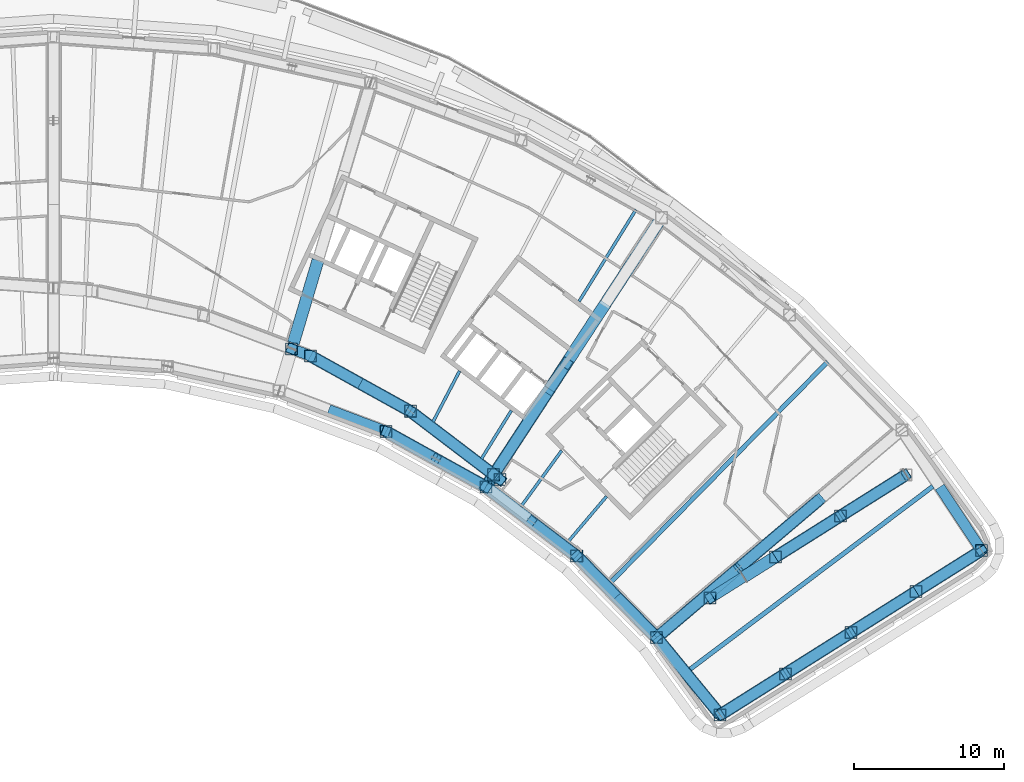
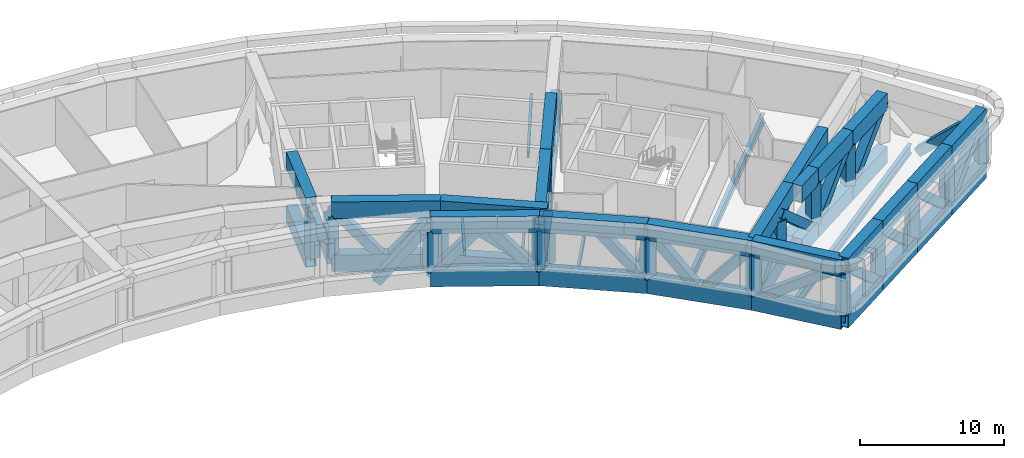
# One storey, part 4 of 24: 44 beams, 42 members.
"""IFC4 building model written with IfcOpenShell, lengths in metres."""

import ifcopenshell
import ifcopenshell.guid

model = None  # the IFC model being written
_history = None  # IfcOwnerHistory: only IFC2X3 demands one
_inside = {}  # id of a spatial element -> (the spatial element, [elements in it])
_under = {}  # id of a project, library or spatial element -> (it, [spatial elements below it])
_declared = {}  # id of a project -> (the project, [libraries it declares])
_typed = {}  # id of a type object -> (the type object, [elements of that type])
_made_of = {}  # id of a material, layer set ... -> (it, [elements and type objects made of it])


def new_model(schema):
    """Start an empty IFC model of exactly this schema.

    Asked for "IFC4X3", IfcOpenShell would pick the latest addendum, in which some entities
    have other attributes; the version numbers below select the first issue.
    IFC2X3 requires an IfcOwnerHistory on every rooted entity: one is made here for all.
    """
    global model, _history
    if schema == "IFC4X3":
        model = ifcopenshell.file(schema_version=(4, 3, 0, 0))
    else:
        model = ifcopenshell.file(schema=schema)
    _inside.clear()
    _under.clear()
    _declared.clear()
    _typed.clear()
    _made_of.clear()
    _history = None
    if model.schema == "IFC2X3":
        org = make("IfcOrganization", Name="unknown")
        user = make(
            "IfcPersonAndOrganization",
            ThePerson=make("IfcPerson", FamilyName="unknown"),
            TheOrganization=org,
        )
        app = make(
            "IfcApplication",
            ApplicationDeveloper=org,
            Version="unknown",
            ApplicationFullName="unknown",
            ApplicationIdentifier="unknown",
        )
        _history = make(
            "IfcOwnerHistory",
            OwningUser=user,
            OwningApplication=app,
            ChangeAction="ADDED",
            CreationDate=0,
        )
    return model


def make(cls, **values):
    """One entity of the class cls with the attributes given. An attribute that is None is left unset."""
    return model.create_entity(
        cls, **{name: value for name, value in values.items() if value is not None}
    )


def rooted(cls, **values):
    """An entity with a GlobalId (a new one), such as an element, a storey or a relation."""
    return make(cls, GlobalId=ifcopenshell.guid.new(), OwnerHistory=_history, **values)


def si_unit(unit_type, name, prefix=None):
    """IfcSIUnit, for example si_unit("LENGTHUNIT", "METRE", prefix="MILLI")."""
    return make("IfcSIUnit", UnitType=unit_type, Prefix=prefix, Name=name)


def assignment(units):
    """IfcUnitAssignment: the units of a project."""
    return None if units is None else make("IfcUnitAssignment", Units=units)


def point(xyz):
    """IfcCartesianPoint."""
    return None if xyz is None else make("IfcCartesianPoint", Coordinates=xyz)


def direction(xyz):
    """IfcDirection."""
    return None if xyz is None else make("IfcDirection", DirectionRatios=xyz)


def frame(location, z_axis=None, x_axis=None):
    """IfcAxis2Placement3D, a coordinate frame: its origin and axes. An axis left out is left unset."""
    return make(
        "IfcAxis2Placement3D",
        Location=point(location),
        Axis=direction(z_axis),
        RefDirection=direction(x_axis),
    )


def frame_2d(location, x_axis=None):
    """IfcAxis2Placement2D, a coordinate frame in the plane: its origin and x axis."""
    return make(
        "IfcAxis2Placement2D", Location=point(location), RefDirection=direction(x_axis)
    )


def origin():
    """The frame at (0, 0, 0) with its axes left unset."""
    return frame((0.0, 0.0, 0.0))


def origin_2d():
    """The frame at (0, 0) in the plane with its x axis left unset."""
    return frame_2d((0.0, 0.0))


def place(relative_to, where):
    """IfcLocalPlacement: puts the frame where relative to a parent placement (None: the world)."""
    return make(
        "IfcLocalPlacement", PlacementRelTo=relative_to, RelativePlacement=where
    )


def context(
    kind, dimensions, precision=None, world=None, true_north=None, identifier=None
):
    """IfcGeometricRepresentationContext, for example the 3D "Model" context."""
    return make(
        "IfcGeometricRepresentationContext",
        ContextIdentifier=identifier,
        ContextType=kind,
        CoordinateSpaceDimension=dimensions,
        Precision=precision,
        WorldCoordinateSystem=world,
        TrueNorth=true_north,
    )


def subcontext(parent, identifier, kind, view, scale=None):
    """IfcGeometricRepresentationSubContext, for example "Body" below "Model"."""
    return make(
        "IfcGeometricRepresentationSubContext",
        ContextIdentifier=identifier,
        ContextType=kind,
        ParentContext=parent,
        TargetScale=scale,
        TargetView=view,
    )


def project(units=None, contexts=None):
    """IfcProject with its units and contexts."""
    return rooted(
        "IfcProject",
        Name="project",
        RepresentationContexts=contexts,
        UnitsInContext=assignment(units),
    )


def spatial(cls, under=None, at=None, **own):
    """A site, building, storey or space (cls), placed at a placement, below another one or the project."""
    s = rooted(cls, ObjectPlacement=at, **own)
    if under is not None:
        _under.setdefault(under.id(), (under, []))[1].append(s)
    return s


def profile(cls, at=None, kind="AREA", **sizes):
    """A parametric profile (cls). Its sizes go by their IFC names, for example OverallWidth=200.0."""
    return make(cls, ProfileType=kind, Position=at, **sizes)


def hollow_rectangle(**sizes):
    """IfcRectangleHollowProfileDef."""
    return profile("IfcRectangleHollowProfileDef", **sizes)


def i_section(**sizes):
    """IfcIShapeProfileDef."""
    return profile("IfcIShapeProfileDef", **sizes)


def extrude(swept, where, along, depth):
    """IfcExtrudedAreaSolid: the profile swept, set in the frame where, extruded along a direction by depth."""
    return make(
        "IfcExtrudedAreaSolid",
        SweptArea=swept,
        Position=where,
        ExtrudedDirection=direction(along),
        Depth=depth,
    )


def shape(context_of_items, identifier, shape_type, items):
    """IfcShapeRepresentation: the items that make up one representation, for example the "Body"."""
    return make(
        "IfcShapeRepresentation",
        ContextOfItems=context_of_items,
        RepresentationIdentifier=identifier,
        RepresentationType=shape_type,
        Items=items,
    )


def material(Name=None, Category=None):
    """IfcMaterial."""
    return make("IfcMaterial", Name=Name, Category=Category)


def material_profile(
    of_material, cross_section, Name=None, Category=None, Priority=None
):
    """IfcMaterialProfile: a cross section and its material."""
    return make(
        "IfcMaterialProfile",
        Name=Name,
        Material=of_material,
        Profile=cross_section,
        Priority=Priority,
        Category=Category,
    )


def profile_set(profiles, Name=None, composite=None):
    """IfcMaterialProfileSet."""
    return make(
        "IfcMaterialProfileSet",
        Name=Name,
        MaterialProfiles=profiles,
        CompositeProfile=composite,
    )


def made_of(thing, what):
    """Note that an element or type object is made of a material, layer set ...; save() writes the relation."""
    if what is not None:
        _made_of.setdefault(what.id(), (what, []))[1].append(thing)
    return thing


def type_object(cls, material=None, **own):
    """A type object (cls), such as IfcWallType, which elements share."""
    return made_of(rooted(cls, **own), material)


def element(
    cls,
    number,
    at=None,
    inside=None,
    cuts=None,
    type_object=None,
    material=None,
    context=None,
    identifier="Body",
    shape_type=None,
    held_by="IfcProductDefinitionShape",
    body=None,
    shapes=None,
    **own,
):
    """One element of the class cls, such as IfcWall. Its Tag is "e" and its number.

    at: its placement. inside: the storey or other place that contains it. cuts: it is an
    opening in that element (IfcRelVoidsElement). A single representation is given by context,
    identifier, shape_type and body (its items); several are given by shapes. held_by: the class
    of the entity that holds the representations. save() writes the other relations.
    """
    e = rooted(cls, Tag="e%d" % number, ObjectPlacement=at, **own)
    if body is not None:
        shapes = [shape(context, identifier, shape_type, body)]
    if shapes is not None:
        e.Representation = make(held_by, Representations=shapes)
    if inside is not None:
        _inside.setdefault(inside.id(), (inside, []))[1].append(e)
    if cuts is not None:
        rooted(
            "IfcRelVoidsElement", RelatingBuildingElement=cuts, RelatedOpeningElement=e
        )
    if type_object is not None:
        _typed.setdefault(type_object.id(), (type_object, []))[1].append(e)
    return made_of(e, material)


def aggregate(whole, parts):
    """IfcRelAggregates: a whole, such as a stair, and the parts it consists of."""
    return rooted("IfcRelAggregates", RelatingObject=whole, RelatedObjects=parts)


def save(model, path):
    """Write the relations noted so far, then the file.

    IfcRelAggregates (storeys below a building ...), IfcRelContainedInSpatialStructure (elements
    in a storey), IfcRelDefinesByType, IfcRelAssociatesMaterial and IfcRelDeclares: one each for
    every whole, place, type object, material and project.
    """
    for whole, parts in _under.values():
        aggregate(whole, parts)
    for where, things in _inside.values():
        rooted(
            "IfcRelContainedInSpatialStructure",
            RelatedElements=things,
            RelatingStructure=where,
        )
    for kind, things in _typed.values():
        rooted("IfcRelDefinesByType", RelatedObjects=things, RelatingType=kind)
    for what, things in _made_of.values():
        rooted("IfcRelAssociatesMaterial", RelatedObjects=things, RelatingMaterial=what)
    for by, libraries in _declared.values():
        rooted("IfcRelDeclares", RelatingContext=by, RelatedDefinitions=libraries)
    model.write(path)


model = new_model("IFC4")

# Units and contexts
model_context = context("Model", 3, precision=1e-05, world=origin(), true_north=direction((0.0, 1.0)))
body_context = subcontext(model_context, "Body", "Model", "MODEL_VIEW")
ifc_project = project(units=[si_unit("LENGTHUNIT", "METRE"), si_unit("AREAUNIT", "SQUARE_METRE"), si_unit("VOLUMEUNIT", "CUBIC_METRE"), si_unit("PLANEANGLEUNIT", "RADIAN"), si_unit("MASSUNIT", "GRAM", prefix="KILO")], contexts=[model_context])

# Site, building, storey
site_placement = place(None, origin())
site = spatial("IfcSite", under=ifc_project, at=site_placement, CompositionType="ELEMENT")
building_placement = place(site_placement, origin())
building = spatial("IfcBuilding", under=site, at=building_placement, Name="Tuul Gate Civic Tower", CompositionType="ELEMENT")
storey_placement = place(building_placement, frame((0.0, 0.0, 94.800048828125)))
storey = spatial("IfcBuildingStorey", under=building, at=storey_placement, Name="Plant and refuge floor 3", CompositionType="ELEMENT", Elevation=94.800048828125)

# Beams
ifc_material_1 = material(Name="Steel S355", Category="steel")
ifc_material_profile_1 = material_profile(ifc_material_1, i_section(OverallWidth=0.199951171875, OverallDepth=0.5, WebThickness=0.010009765625, FlangeThickness=0.01611328125, at=origin_2d()), Name="PG500x200x10x16")
ifc_profile_set_1 = profile_set([ifc_material_profile_1], Name="Steel S355")
beam_type_1 = type_object("IfcBeamType", Name="STR-FLOOR BEAM-PG500x200x10x16", PredefinedType="BEAM", material=ifc_profile_set_1)
beam_1_placement = place(storey_placement, frame((43.98681640625, -19.913330078125, -0.650146484375), z_axis=(0.646598091144, 0.762830851846, 0.0), x_axis=(-0.762830851846, 0.646598091144, 0.0)))
element("IfcBeam", 1, at=beam_1_placement, inside=storey, type_object=beam_type_1, Name="Floor beam", PredefinedType="BEAM", context=body_context, shape_type="SweptSolid", body=[
    extrude(i_section(OverallWidth=0.199951171875, OverallDepth=0.5, WebThickness=0.010009765625, FlangeThickness=0.01611328125, at=origin_2d()), origin(), (0.0, 0.0, 1.0), 4.00341796875),
])
beam_2_placement = place(storey_placement, frame((40.8779296875, -17.546630859375, -0.650146484375), z_axis=(0.588448553247, 0.808534662325, 0.0), x_axis=(-0.808534662325, 0.588448553247, 0.0)))
element("IfcBeam", 2, at=beam_2_placement, inside=storey, type_object=beam_type_1, Name="Floor beam", PredefinedType="BEAM", context=body_context, shape_type="SweptSolid", body=[
    extrude(i_section(OverallWidth=0.199951171875, OverallDepth=0.5, WebThickness=0.010009765625, FlangeThickness=0.01611328125, at=origin_2d()), origin(), (0.0, 0.0, 1.0), 4.613525390625),
])
beam_3_placement = place(storey_placement, frame((38.26416015625, -14.35791015625, -0.650146484375), z_axis=(0.527047155452, 0.849836040616, 0.0), x_axis=(-0.849836040616, 0.527047155452, 0.0)))
element("IfcBeam", 3, at=beam_3_placement, inside=storey, type_object=beam_type_1, Name="Floor beam", PredefinedType="BEAM", context=body_context, shape_type="SweptSolid", body=[
    extrude(i_section(OverallWidth=0.199951171875, OverallDepth=0.5, WebThickness=0.010009765625, FlangeThickness=0.01611328125, at=origin_2d()), origin(), (0.0, 0.0, 1.0), 3.7734375),
])
beam_4_placement = place(storey_placement, frame((44.753173828125, -3.89404296875, -0.650146484375), z_axis=(0.527029124727, 0.849847222558, 0.0), x_axis=(-0.849847222558, 0.527029124727, 0.0)))
element("IfcBeam", 4, at=beam_4_placement, inside=storey, type_object=beam_type_1, Name="Floor beam", PredefinedType="BEAM", context=body_context, shape_type="SweptSolid", body=[
    extrude(i_section(OverallWidth=0.199951171875, OverallDepth=0.5, WebThickness=0.010009765625, FlangeThickness=0.01611328125, at=origin_2d()), origin(), (0.0, 0.0, 1.0), 7.175537109375),
])
beam_5_placement = place(storey_placement, frame((35.043701171875, -11.90576171875, -0.650146484375), z_axis=(0.462749887816, 0.886488883927, 0.0), x_axis=(-0.886488883927, 0.462749887816, 0.0)))
element("IfcBeam", 5, at=beam_5_placement, inside=storey, type_object=beam_type_1, Name="Floor beam", PredefinedType="BEAM", context=body_context, shape_type="SweptSolid", body=[
    extrude(i_section(OverallWidth=0.199951171875, OverallDepth=0.5, WebThickness=0.010009765625, FlangeThickness=0.01611328125, at=origin_2d()), origin(), (0.0, 0.0, 1.0), 3.811279296875),
])
ifc_material_2 = material(Name="Steel S355", Category="steel")
ifc_material_profile_2 = material_profile(ifc_material_2, i_section(OverallWidth=0.300048828125, OverallDepth=0.800048828125, WebThickness=0.013916015625, FlangeThickness=0.02490234375, at=origin_2d()), Name="PG800x300x14x25")
ifc_profile_set_2 = profile_set([ifc_material_profile_2], Name="Steel S355")
beam_type_2 = type_object("IfcBeamType", Name="STR-FLOOR BEAM-PG800x300x14x25", PredefinedType="BEAM", material=ifc_profile_set_2)
beam_6_placement = place(storey_placement, frame((52.10595703125, -28.362060546875, -0.800048828125), z_axis=(0.79870948555, 0.601716841789, 0.0), x_axis=(-0.601716841789, 0.79870948555, 0.0)))
element("IfcBeam", 6, at=beam_6_placement, inside=storey, type_object=beam_type_2, Name="Floor beam", PredefinedType="BEAM", context=body_context, shape_type="SweptSolid", body=[
    extrude(i_section(OverallWidth=0.300048828125, OverallDepth=0.800048828125, WebThickness=0.013916015625, FlangeThickness=0.02490234375, at=origin_2d()), origin(), (0.0, 0.0, 1.0), 20.2333984375),
])
beam_7_placement = place(storey_placement, frame((46.82861328125, -22.5947265625, -0.800048828125), z_axis=(0.701234928118, 0.712930274001, 0.0), x_axis=(-0.712930274001, 0.701234928118, 0.0)))
element("IfcBeam", 7, at=beam_7_placement, inside=storey, type_object=beam_type_2, Name="Floor beam", PredefinedType="BEAM", context=body_context, shape_type="SweptSolid", body=[
    extrude(i_section(OverallWidth=0.300048828125, OverallDepth=0.800048828125, WebThickness=0.013916015625, FlangeThickness=0.02490234375, at=origin_2d()), origin(), (0.0, 0.0, 1.0), 20.603759765625),
])
ifc_material_3 = material(Name="Steel S460", Category="steel")
ifc_material_profile_3 = material_profile(ifc_material_3, hollow_rectangle(XDim=0.800048828125, YDim=1.39990234375, WallThickness=0.0400390625, at=origin_2d()), Name="BOX1400x800x40")
ifc_profile_set_3 = profile_set([ifc_material_profile_3], Name="Steel S460")
beam_type_3 = type_object("IfcBeamType", Name="STR-TRANSFER TRUSS CHORD-BOX1400x800x40", PredefinedType="BEAM", material=ifc_profile_set_3)
for number, where, z_axis, x_axis, name in (
    (8, (50.23095703125, 1.6640625, -1.10009765625), (-0.546721098723, -0.837314779644, 0.0), (0.837314779644, -0.546721098723, 0.0), "Radial truss bottom chord"),
    (9, (46.51318359375, -4.02978515625, -1.10009765625), (-0.546721098723, -0.837314779644, 0.0), (0.837314779644, -0.546721098723, 0.0), "Radial truss bottom chord"),
):
    element("IfcBeam", number, at=place(storey_placement, frame(where, z_axis=z_axis, x_axis=x_axis)), inside=storey, type_object=beam_type_3, Name=name, PredefinedType="BEAM", context=body_context, shape_type="SweptSolid", body=[
        extrude(hollow_rectangle(XDim=0.800048828125, YDim=1.39990234375, WallThickness=0.0400390625, at=origin_2d()), origin(), (0.0, 0.0, 1.0), 6.800048828125),
    ])
beam_8_placement = place(storey_placement, frame((42.79541015625, -9.7236328125, -1.10009765625), z_axis=(-0.546720900012, -0.837314909392, 0.0), x_axis=(0.837314909392, -0.546720900012, 0.0)))
element("IfcBeam", 10, at=beam_8_placement, inside=storey, type_object=beam_type_3, Name="Radial truss bottom chord", PredefinedType="BEAM", context=body_context, shape_type="SweptSolid", body=[
    extrude(hollow_rectangle(XDim=0.800048828125, YDim=1.39990234375, WallThickness=0.0400390625, at=origin_2d()), origin(), (0.0, 0.0, 1.0), 7.756103515625),
])
beam_9_placement = place(storey_placement, frame((46.51318359375, -4.02978515625, 3.39990234375), z_axis=(-0.546721098723, -0.837314779644, 0.0), x_axis=(0.837314779644, -0.546721098723, 0.0)))
element("IfcBeam", 11, at=beam_9_placement, inside=storey, type_object=beam_type_3, Name="Radial truss top chord", PredefinedType="BEAM", context=body_context, shape_type="SweptSolid", body=[
    extrude(hollow_rectangle(XDim=0.800048828125, YDim=1.39990234375, WallThickness=0.0400390625, at=origin_2d()), origin(), (0.0, 0.0, 1.0), 6.800048828125),
])
beam_10_placement = place(storey_placement, frame((42.79541015625, -9.7236328125, 3.39990234375), z_axis=(-0.546720900012, -0.837314909392, 0.0), x_axis=(0.837314909392, -0.546720900012, 0.0)))
element("IfcBeam", 12, at=beam_10_placement, inside=storey, type_object=beam_type_3, Name="Radial truss top chord", PredefinedType="BEAM", context=body_context, shape_type="SweptSolid", body=[
    extrude(hollow_rectangle(XDim=0.800048828125, YDim=1.39990234375, WallThickness=0.0400390625, at=origin_2d()), origin(), (0.0, 0.0, 1.0), 7.756103515625),
])
for number, where, z_axis, x_axis, name in (
    (13, (60.770751953125, -17.031982421875, -1.10009765625), (-0.762827934926, -0.646601532396, 0.0), (0.646601532396, -0.762827934926, 0.0), "Radial truss bottom chord"),
    (14, (55.34033203125, -21.635009765625, -1.10009765625), (-0.762827934926, -0.646601532396, 0.0), (0.646601532396, -0.762827934926, 0.0), "Radial truss bottom chord"),
    (15, (60.770751953125, -17.031982421875, 3.39990234375), (-0.762827934926, -0.646601532396, 0.0), (0.646601532396, -0.762827934926, 0.0), "Radial truss top chord"),
    (16, (55.34033203125, -21.635009765625, 3.39990234375), (-0.762827934926, -0.646601532396, 0.0), (0.646601532396, -0.762827934926, 0.0), "Radial truss top chord"),
):
    element("IfcBeam", number, at=place(storey_placement, frame(where, z_axis=z_axis, x_axis=x_axis)), inside=storey, type_object=beam_type_3, Name=name, PredefinedType="BEAM", context=body_context, shape_type="SweptSolid", body=[
        extrude(hollow_rectangle(XDim=0.800048828125, YDim=1.39990234375, WallThickness=0.0400390625, at=origin_2d()), origin(), (0.0, 0.0, 1.0), 7.118896484375),
    ])
for number, where, z_axis, x_axis, name in (
    (17, (27.401611328125, -1.158447265625, -1.10009765625), (-0.285189887034, -0.958471036773, 0.0), (0.958471036773, -0.285189887034, 0.0), "Radial truss bottom chord"),
    (18, (27.401611328125, -1.158447265625, 3.39990234375), (-0.285189887034, -0.958471036773, 0.0), (0.958471036773, -0.285189887034, 0.0), "Radial truss top chord"),
):
    element("IfcBeam", number, at=place(storey_placement, frame(where, z_axis=z_axis, x_axis=x_axis)), inside=storey, type_object=beam_type_3, Name=name, PredefinedType="BEAM", context=body_context, shape_type="SweptSolid", body=[
        extrude(hollow_rectangle(XDim=0.800048828125, YDim=1.39990234375, WallThickness=0.0400390625, at=origin_2d()), origin(), (0.0, 0.0, 1.0), 5.74169921875),
    ])
for number, where, z_axis, x_axis, name in (
    (19, (38.554931640625, -16.218017578125, -1.10009765625), (0.795673036057, -0.605726357105, 0.0), (0.605726357105, 0.795673036057, 0.0), "Belt truss bottom chord"),
    (20, (38.554931640625, -16.218017578125, 3.39990234375), (0.795673036057, -0.605726357105, 0.0), (0.605726357105, 0.795673036057, 0.0), "Belt truss top chord"),
):
    element("IfcBeam", number, at=place(storey_placement, frame(where, z_axis=z_axis, x_axis=x_axis)), inside=storey, type_object=beam_type_3, Name=name, PredefinedType="BEAM", context=body_context, shape_type="SweptSolid", body=[
        extrude(hollow_rectangle(XDim=0.800048828125, YDim=1.39990234375, WallThickness=0.0400390625, at=origin_2d()), origin(), (0.0, 0.0, 1.0), 7.59228515625),
    ])
for number, where, z_axis, x_axis, name in (
    (21, (31.9150390625, -12.537109375, -1.10009765625), (0.874599842838, -0.484845454663, 0.0), (0.484845454663, 0.874599842838, 0.0), "Belt truss bottom chord"),
    (22, (31.9150390625, -12.537109375, 3.39990234375), (0.874599842838, -0.484845454663, 0.0), (0.484845454663, 0.874599842838, 0.0), "Belt truss top chord"),
):
    element("IfcBeam", number, at=place(storey_placement, frame(where, z_axis=z_axis, x_axis=x_axis)), inside=storey, type_object=beam_type_3, Name=name, PredefinedType="BEAM", context=body_context, shape_type="SweptSolid", body=[
        extrude(hollow_rectangle(XDim=0.800048828125, YDim=1.39990234375, WallThickness=0.0400390625, at=origin_2d()), origin(), (0.0, 0.0, 1.0), 7.592041015625),
    ])
for number, where, z_axis, x_axis, name in (
    (23, (33.534912109375, -11.197021484375, -1.10009765625), (0.795626359426, -0.605787665925, 0.0), (0.605787665925, 0.795626359426, 0.0), "Belt truss bottom chord"),
    (24, (33.534912109375, -11.197021484375, 3.39990234375), (0.795626359426, -0.605787665925, 0.0), (0.605787665925, 0.795626359426, 0.0), "Belt truss top chord"),
):
    element("IfcBeam", number, at=place(storey_placement, frame(where, z_axis=z_axis, x_axis=x_axis)), inside=storey, type_object=beam_type_3, Name=name, PredefinedType="BEAM", context=body_context, shape_type="SweptSolid", body=[
        extrude(hollow_rectangle(XDim=0.800048828125, YDim=1.39990234375, WallThickness=0.0400390625, at=origin_2d()), origin(), (0.0, 0.0, 1.0), 7.48486328125),
    ])
for number, where, z_axis, x_axis, name in (
    (25, (26.89501953125, -7.51708984375, -1.10009765625), (0.874654386478, -0.484747051785, 0.0), (0.484747051785, 0.874654386478, 0.0), "Belt truss bottom chord"),
    (26, (26.89501953125, -7.51708984375, 3.39990234375), (0.874654386478, -0.484747051785, 0.0), (0.484747051785, 0.874654386478, 0.0), "Belt truss top chord"),
):
    element("IfcBeam", number, at=place(storey_placement, frame(where, z_axis=z_axis, x_axis=x_axis)), inside=storey, type_object=beam_type_3, Name=name, PredefinedType="BEAM", context=body_context, shape_type="SweptSolid", body=[
        extrude(hollow_rectangle(XDim=0.800048828125, YDim=1.39990234375, WallThickness=0.0400390625, at=origin_2d()), origin(), (0.0, 0.0, 1.0), 7.591552734375),
    ])
for number, where, z_axis, x_axis, name in (
    (27, (44.595947265625, -20.81689453125, -1.10009765625), (0.700012244229, -0.714130840903, 0.0), (0.714130840903, 0.700012244229, 0.0), "Belt truss bottom chord"),
    (28, (44.595947265625, -20.81689453125, 3.39990234375), (0.700012244229, -0.714130840903, 0.0), (0.714130840903, 0.700012244229, 0.0), "Belt truss top chord"),
):
    element("IfcBeam", number, at=place(storey_placement, frame(where, z_axis=z_axis, x_axis=x_axis)), inside=storey, type_object=beam_type_3, Name=name, PredefinedType="BEAM", context=body_context, shape_type="SweptSolid", body=[
        extrude(hollow_rectangle(XDim=0.800048828125, YDim=1.39990234375, WallThickness=0.0400390625, at=origin_2d()), origin(), (0.0, 0.0, 1.0), 7.59130859375),
    ])
for number, where, z_axis, x_axis, name in (
    (29, (49.909912109375, -26.238037109375, -1.10009765625), (0.634408284955, -0.772998142288, 0.0), (0.772998142288, 0.634408284955, 0.0), "Belt truss bottom chord"),
    (30, (49.909912109375, -26.238037109375, 3.39990234375), (0.634408284955, -0.772998142288, 0.0), (0.772998142288, 0.634408284955, 0.0), "Belt truss top chord"),
):
    element("IfcBeam", number, at=place(storey_placement, frame(where, z_axis=z_axis, x_axis=x_axis)), inside=storey, type_object=beam_type_3, Name=name, PredefinedType="BEAM", context=body_context, shape_type="SweptSolid", body=[
        extrude(hollow_rectangle(XDim=0.800048828125, YDim=1.39990234375, WallThickness=0.0400390625, at=origin_2d()), origin(), (0.0, 0.0, 1.0), 6.65185546875),
    ])
for number, where, z_axis, x_axis, name in (
    (31, (57.7939453125, -20.89111328125, -1.10009765625), (0.846178819959, 0.53289905672, 0.0), (-0.53289905672, 0.846178819959, 0.0), "Belt truss bottom chord"),
    (32, (57.7939453125, -20.89111328125, 3.39990234375), (0.846178819959, 0.53289905672, 0.0), (-0.53289905672, 0.846178819959, 0.0), "Belt truss top chord"),
    (33, (58.471923828125, -28.64599609375, -1.10009765625), (0.846178819959, 0.53289905672, 0.0), (-0.53289905672, 0.846178819959, 0.0), "Belt truss bottom chord"),
    (34, (58.471923828125, -28.64599609375, 3.39990234375), (0.846178819959, 0.53289905672, 0.0), (-0.53289905672, 0.846178819959, 0.0), "Belt truss top chord"),
):
    element("IfcBeam", number, at=place(storey_placement, frame(where, z_axis=z_axis, x_axis=x_axis)), inside=storey, type_object=beam_type_3, Name=name, PredefinedType="BEAM", context=body_context, shape_type="SweptSolid", body=[
        extrude(hollow_rectangle(XDim=0.800048828125, YDim=1.39990234375, WallThickness=0.0400390625, at=origin_2d()), origin(), (0.0, 0.0, 1.0), 5.132568359375),
    ])
for number, where, z_axis, x_axis, name in (
    (35, (67.156982421875, -23.176025390625, -1.10009765625), (0.846264615796, 0.53276279905, 0.0), (-0.53276279905, 0.846264615796, 0.0), "Belt truss bottom chord"),
    (36, (67.156982421875, -23.176025390625, 3.39990234375), (0.846264615796, 0.53276279905, 0.0), (-0.53276279905, 0.846264615796, 0.0), "Belt truss top chord"),
):
    element("IfcBeam", number, at=place(storey_placement, frame(where, z_axis=z_axis, x_axis=x_axis)), inside=storey, type_object=beam_type_3, Name=name, PredefinedType="BEAM", context=body_context, shape_type="SweptSolid", body=[
        extrude(hollow_rectangle(XDim=0.800048828125, YDim=1.39990234375, WallThickness=0.0400390625, at=origin_2d()), origin(), (0.0, 0.0, 1.0), 5.132080078125),
    ])
for number, where, z_axis, x_axis, name in (
    (37, (62.81494140625, -25.910888671875, -1.10009765625), (0.846146228652, 0.532950804237, 0.0), (-0.532950804237, 0.846146228652, 0.0), "Belt truss bottom chord"),
    (38, (62.81494140625, -25.910888671875, 3.39990234375), (0.846146228652, 0.532950804237, 0.0), (-0.532950804237, 0.846146228652, 0.0), "Belt truss top chord"),
    (39, (62.136962890625, -18.156005859375, -1.10009765625), (0.846124773729, 0.532984865903, 0.0), (-0.532984865903, 0.846124773729, 0.0), "Belt truss bottom chord"),
    (40, (62.136962890625, -18.156005859375, 3.39990234375), (0.846124773729, 0.532984865903, 0.0), (-0.532984865903, 0.846124773729, 0.0), "Belt truss top chord"),
):
    element("IfcBeam", number, at=place(storey_placement, frame(where, z_axis=z_axis, x_axis=x_axis)), inside=storey, type_object=beam_type_3, Name=name, PredefinedType="BEAM", context=body_context, shape_type="SweptSolid", body=[
        extrude(hollow_rectangle(XDim=0.800048828125, YDim=1.39990234375, WallThickness=0.0400390625, at=origin_2d()), origin(), (0.0, 0.0, 1.0), 5.131591796875),
    ])
for number, where, z_axis, x_axis, name in (
    (41, (55.718505859375, -22.197998046875, -1.10009765625), (0.846209567101, 0.532850230878, 0.0), (-0.532850230878, 0.846209567101, 0.0), "Belt truss bottom chord"),
    (42, (55.718505859375, -22.197998046875, 3.39990234375), (0.846209567101, 0.532850230878, 0.0), (-0.532850230878, 0.846209567101, 0.0), "Belt truss top chord"),
):
    element("IfcBeam", number, at=place(storey_placement, frame(where, z_axis=z_axis, x_axis=x_axis)), inside=storey, type_object=beam_type_3, Name=name, PredefinedType="BEAM", context=body_context, shape_type="SweptSolid", body=[
        extrude(hollow_rectangle(XDim=0.800048828125, YDim=1.39990234375, WallThickness=0.0400390625, at=origin_2d()), origin(), (0.0, 0.0, 1.0), 2.45263671875),
    ])
for number, where, z_axis, x_axis, name in (
    (43, (54.1298828125, -31.3798828125, -1.10009765625), (0.84623204551, 0.532814531663, 0.0), (-0.532814531663, 0.84623204551, 0.0), "Belt truss bottom chord"),
    (44, (54.1298828125, -31.3798828125, 3.39990234375), (0.84623204551, 0.532814531663, 0.0), (-0.532814531663, 0.84623204551, 0.0), "Belt truss top chord"),
):
    element("IfcBeam", number, at=place(storey_placement, frame(where, z_axis=z_axis, x_axis=x_axis)), inside=storey, type_object=beam_type_3, Name=name, PredefinedType="BEAM", context=body_context, shape_type="SweptSolid", body=[
        extrude(hollow_rectangle(XDim=0.800048828125, YDim=1.39990234375, WallThickness=0.0400390625, at=origin_2d()), origin(), (0.0, 0.0, 1.0), 5.131103515625),
    ])

# Members
ifc_material_4 = material(Name="Steel S355", Category="steel")
ifc_material_profile_4 = material_profile(ifc_material_4, hollow_rectangle(XDim=0.699951171875, YDim=0.699951171875, WallThickness=0.031982421875, at=origin_2d()), Name="BOX700x700x32")
ifc_profile_set_4 = profile_set([ifc_material_profile_4], Name="Steel S355")
member_type_1 = type_object("IfcMemberType", Name="STR-TRANSFER TRUSS DIAGONAL-BOX700x700x32", PredefinedType="BRACE", material=ifc_profile_set_4)
member_1_placement = place(storey_placement, frame((39.075439453125, -15.4208984375, -1.102783203125), z_axis=(0.455941388754, 0.698250897056, 0.551872389943), x_axis=(-0.837303001103, 0.54673913738, 0.0)))
element("IfcMember", 45, at=member_1_placement, inside=storey, type_object=member_type_1, Name="Radial truss web", PredefinedType="BRACE", context=body_context, shape_type="SweptSolid", body=[
    extrude(hollow_rectangle(XDim=0.699951171875, YDim=0.699951171875, WallThickness=0.031982421875, at=origin_2d()), origin(), (0.0, 0.0, 1.0), 8.164306640625),
])
member_2_placement = place(storey_placement, frame((39.078369140625, -15.41650390625, -1.10498046875), z_axis=(-0.113639195611, -0.174006708657, 0.97816552718), x_axis=(0.837265743345, -0.546796191484, 0.0)))
element("IfcMember", 46, at=member_2_placement, inside=storey, type_object=member_type_1, Name="Radial truss web", PredefinedType="BRACE", context=body_context, shape_type="SweptSolid", body=[
    extrude(hollow_rectangle(XDim=0.699951171875, YDim=0.699951171875, WallThickness=0.031982421875, at=origin_2d()), origin(), (0.0, 0.0, 1.0), 4.6103515625),
])
for number, where, z_axis, x_axis, name in (
    (47, (60.77392578125, -17.029296875, -1.102783203125), (-0.644798242052, -0.546554026538, 0.534335028911), (0.64660076349, -0.762828586679, 0.0), "Radial truss web"),
    (48, (49.90673828125, -26.24072265625, -1.102783203125), (0.644798242052, 0.546554026538, 0.534335028911), (-0.64660076349, 0.762828586679, 0.0), "Radial truss web"),
):
    element("IfcMember", number, at=place(storey_placement, frame(where, z_axis=z_axis, x_axis=x_axis)), inside=storey, type_object=member_type_1, Name=name, PredefinedType="BRACE", context=body_context, shape_type="SweptSolid", body=[
        extrude(hollow_rectangle(XDim=0.699951171875, YDim=0.699951171875, WallThickness=0.031982421875, at=origin_2d()), origin(), (0.0, 0.0, 1.0), 8.431640625),
    ])
member_3_placement = place(storey_placement, frame((68.848388671875, -16.432373046875, -1.103515625), z_axis=(0.402542066757, -0.608720343106, 0.683680794216), x_axis=(0.834113511354, 0.551592830063, 0.0)))
element("IfcMember", 49, at=member_3_placement, inside=storey, type_object=member_type_1, Name="Belt truss web", PredefinedType="BRACE", context=body_context, shape_type="SweptSolid", body=[
    extrude(hollow_rectangle(XDim=0.699951171875, YDim=0.699951171875, WallThickness=0.031982421875, at=origin_2d()), origin(), (0.0, 0.0, 1.0), 6.592041015625),
])
for number, where, z_axis, x_axis, name in (
    (50, (44.5986328125, -20.81884765625, -1.103759765625), (-0.513059214117, 0.390559237148, 0.764351833312), (-0.605706570253, -0.795688098913, 0.0), "Belt truss web"),
    (51, (31.912109375, -12.535400390625, -1.103759765625), (0.563936413224, -0.31264482401, 0.764348700437), (0.484868658503, 0.874586979095, 0.0), "Belt truss web"),
    (52, (38.557861328125, -16.219482421875, -1.103759765625), (-0.563943712005, 0.312607470955, 0.764358593066), (-0.484819546412, -0.874614204903, 0.0), "Belt truss web"),
):
    element("IfcMember", number, at=place(storey_placement, frame(where, z_axis=z_axis, x_axis=x_axis)), inside=storey, type_object=member_type_1, Name=name, PredefinedType="BRACE", context=body_context, shape_type="SweptSolid", body=[
        extrude(hollow_rectangle(XDim=0.699951171875, YDim=0.699951171875, WallThickness=0.031982421875, at=origin_2d()), origin(), (0.0, 0.0, 1.0), 5.897216796875),
    ])
member_4_placement = place(storey_placement, frame((26.896240234375, -7.517578125, -1.104736328125), z_axis=(-0.265335410053, 0.100402794569, 0.958914177085), x_axis=(-0.35390940281, -0.935279709286, 0.0)))
element("IfcMember", 53, at=member_4_placement, inside=storey, type_object=member_type_1, Name="Belt truss web", PredefinedType="BRACE", context=body_context, shape_type="SweptSolid", body=[
    extrude(hollow_rectangle(XDim=0.699951171875, YDim=0.699951171875, WallThickness=0.031982421875, at=origin_2d()), origin(), (0.0, 0.0, 1.0), 4.70263671875),
])
member_5_placement = place(storey_placement, frame((39.0810546875, -15.419921875, -1.102783203125), z_axis=(-0.66830690723, 0.508889395087, 0.542584059218), x_axis=(-0.605819618597, -0.795602029738, 0.0)))
element("IfcMember", 54, at=member_5_placement, inside=storey, type_object=member_type_1, Name="Belt truss web", PredefinedType="BRACE", context=body_context, shape_type="SweptSolid", body=[
    extrude(hollow_rectangle(XDim=0.699951171875, YDim=0.699951171875, WallThickness=0.031982421875, at=origin_2d()), origin(), (0.0, 0.0, 1.0), 8.303466796875),
])
member_6_placement = place(storey_placement, frame((39.077392578125, -15.4169921875, -1.10498046875), z_axis=(0.090991927341, -0.069319500202, 0.993436095605), x_axis=(0.606000720361, 0.795464095307, 0.0)))
element("IfcMember", 55, at=member_6_placement, inside=storey, type_object=member_type_1, Name="Belt truss web", PredefinedType="BRACE", context=body_context, shape_type="SweptSolid", body=[
    extrude(hollow_rectangle(XDim=0.699951171875, YDim=0.699951171875, WallThickness=0.031982421875, at=origin_2d()), origin(), (0.0, 0.0, 1.0), 4.539794921875),
])
member_7_placement = place(storey_placement, frame((30.2177734375, -9.358642578125, -1.103759765625), z_axis=(-0.563951010102, 0.312570116449, 0.764368484769), x_axis=(-0.484770429734, -0.874641429647, 0.0)))
element("IfcMember", 56, at=member_7_placement, inside=storey, type_object=member_type_1, Name="Belt truss web", PredefinedType="BRACE", context=body_context, shape_type="SweptSolid", body=[
    extrude(hollow_rectangle(XDim=0.699951171875, YDim=0.699951171875, WallThickness=0.031982421875, at=origin_2d()), origin(), (0.0, 0.0, 1.0), 5.897216796875),
])
for number, where, z_axis, x_axis, name in (
    (57, (30.212158203125, -9.35546875, -1.103759765625), (0.563958307517, -0.312532760494, 0.764378375545), (0.48472130847, 0.874668653328, 0.0), "Belt truss web"),
    (58, (47.25537109375, -23.52978515625, -1.103759765625), (-0.451355012954, 0.460421858288, 0.764388883156), (-0.714103050027, -0.700040594496, 0.0), "Belt truss web"),
    (59, (47.250732421875, -23.525146484375, -1.103759765625), (0.451355012954, -0.460421858288, 0.764388883156), (0.714103050027, 0.700040594496, 0.0), "Belt truss web"),
):
    element("IfcMember", number, at=place(storey_placement, frame(where, z_axis=z_axis, x_axis=x_axis)), inside=storey, type_object=member_type_1, Name=name, PredefinedType="BRACE", context=body_context, shape_type="SweptSolid", body=[
        extrude(hollow_rectangle(XDim=0.699951171875, YDim=0.699951171875, WallThickness=0.031982421875, at=origin_2d()), origin(), (0.0, 0.0, 1.0), 5.89697265625),
    ])
member_8_placement = place(storey_placement, frame((28.362060546875, -11.193359375, -1.103759765625), z_axis=(0.603034685588, -0.228047720441, 0.764423577069), x_axis=(0.353719007445, 0.93535173265, 0.0)))
element("IfcMember", 60, at=member_8_placement, inside=storey, type_object=member_type_1, Name="Belt truss web", PredefinedType="BRACE", context=body_context, shape_type="SweptSolid", body=[
    extrude(hollow_rectangle(XDim=0.699951171875, YDim=0.699951171875, WallThickness=0.031982421875, at=origin_2d()), origin(), (0.0, 0.0, 1.0), 5.896728515625),
])
member_9_placement = place(storey_placement, frame((49.907470703125, -26.23486328125, -1.102783203125), z_axis=(0.525441271609, -0.640269590644, 0.560326977207), x_axis=(0.773018980158, 0.634382894092, 0.0)))
element("IfcMember", 61, at=member_9_placement, inside=storey, type_object=member_type_1, Name="Belt truss web", PredefinedType="BRACE", context=body_context, shape_type="SweptSolid", body=[
    extrude(hollow_rectangle(XDim=0.699951171875, YDim=0.699951171875, WallThickness=0.031982421875, at=origin_2d()), origin(), (0.0, 0.0, 1.0), 8.041015625),
])
for number, where, z_axis, x_axis, name in (
    (62, (57.790771484375, -20.89306640625, -1.103271484375), (0.636260198505, 0.400684993939, 0.659260567174), (-0.532886335228, 0.846186831455, 0.0), "Belt truss web"),
    (63, (62.818115234375, -25.908935546875, -1.103271484375), (-0.636260198505, -0.400684993939, 0.659260567174), (0.532886335228, -0.846186831455, 0.0), "Belt truss web"),
):
    element("IfcMember", number, at=place(storey_placement, frame(where, z_axis=z_axis, x_axis=x_axis)), inside=storey, type_object=member_type_1, Name=name, PredefinedType="BRACE", context=body_context, shape_type="SweptSolid", body=[
        extrude(hollow_rectangle(XDim=0.699951171875, YDim=0.699951171875, WallThickness=0.031982421875, at=origin_2d()), origin(), (0.0, 0.0, 1.0), 6.8359375),
    ])
member_10_placement = place(storey_placement, frame((67.15380859375, -23.177978515625, -1.103271484375), z_axis=(0.63629661571, 0.400565060072, 0.659298300836), x_axis=(-0.532750272584, 0.846272501657, 0.0)))
element("IfcMember", 64, at=member_10_placement, inside=storey, type_object=member_type_1, Name="Belt truss web", PredefinedType="BRACE", context=body_context, shape_type="SweptSolid", body=[
    extrude(hollow_rectangle(XDim=0.699951171875, YDim=0.699951171875, WallThickness=0.031982421875, at=origin_2d()), origin(), (0.0, 0.0, 1.0), 6.83544921875),
])
for number, where, z_axis, x_axis, name in (
    (65, (67.16015625, -23.174072265625, -1.103271484375), (-0.63617516084, -0.400721415387, 0.659320492614), (0.532972018739, -0.846132866187, 0.0), "Belt truss web"),
    (66, (62.1337890625, -18.157958984375, -1.103271484375), (0.63617516084, 0.400721415387, 0.659320492614), (-0.532972018739, 0.846132866187, 0.0), "Belt truss web"),
):
    element("IfcMember", number, at=place(storey_placement, frame(where, z_axis=z_axis, x_axis=x_axis)), inside=storey, type_object=member_type_1, Name=name, PredefinedType="BRACE", context=body_context, shape_type="SweptSolid", body=[
        extrude(hollow_rectangle(XDim=0.699951171875, YDim=0.699951171875, WallThickness=0.031982421875, at=origin_2d()), origin(), (0.0, 0.0, 1.0), 6.835205078125),
    ])
for number, where, z_axis, x_axis, name in (
    (67, (57.797119140625, -20.888916015625, -1.103271484375), (-0.636211579798, -0.400601474787, 0.659358236567), (0.532835951567, -0.846218558481, 0.0), "Belt truss web"),
    (68, (58.47509765625, -28.64404296875, -1.103271484375), (-0.636211579798, -0.400601474787, 0.659358236567), (0.532835951567, -0.846218558481, 0.0), "Belt truss web"),
):
    element("IfcMember", number, at=place(storey_placement, frame(where, z_axis=z_axis, x_axis=x_axis)), inside=storey, type_object=member_type_1, Name=name, PredefinedType="BRACE", context=body_context, shape_type="SweptSolid", body=[
        extrude(hollow_rectangle(XDim=0.699951171875, YDim=0.699951171875, WallThickness=0.031982421875, at=origin_2d()), origin(), (0.0, 0.0, 1.0), 6.834716796875),
    ])
member_11_placement = place(storey_placement, frame((42.79443359375, -9.725341796875, -1.1044921875), z_axis=(0.225709925327, 0.345740066958, 0.91077924642), x_axis=(-0.837358648902, 0.546653906151, 0.0)))
element("IfcMember", 69, at=member_11_placement, inside=storey, type_object=member_type_1, Name="Radial truss web", PredefinedType="BRACE", context=body_context, shape_type="SweptSolid", body=[
    extrude(hollow_rectangle(XDim=0.699951171875, YDim=0.699951171875, WallThickness=0.031982421875, at=origin_2d()), origin(), (0.0, 0.0, 1.0), 4.95068359375),
])
ifc_material_5 = material(Name="Steel S355", Category="steel")
ifc_material_profile_5 = material_profile(ifc_material_5, hollow_rectangle(XDim=0.800048828125, YDim=0.800048828125, WallThickness=0.034912109375, at=origin_2d()), Name="BOX800x800x35")
ifc_profile_set_5 = profile_set([ifc_material_profile_5], Name="Steel S355")
member_type_2 = type_object("IfcMemberType", Name="STR-TRUSS POST-BOX800x800x35", PredefinedType="POST", material=ifc_profile_set_5)
for number, where, z_axis, x_axis, name in (
    (70, (39.07763671875, -15.41748046875, -0.594970703125), (0.0, 0.0, 1.0), (1.0, 0.0, 0.0), "Radial truss post"),
    (71, (38.554931640625, -16.218017578125, -0.594970703125), (0.0, 0.0, 1.0), (1.0, 0.0, 0.0), "Radial truss post"),
    (72, (49.909912109375, -26.238037109375, -0.594970703125), (0.0, 0.0, 1.0), (1.0, 0.0, 0.0), "Radial truss post"),
    (73, (25.64990234375, -7.0458984375, -0.594970703125), (0.0, 0.0, 1.0), (1.0, 0.0, 0.0), "Radial truss post"),
    (74, (71.5, -20.44189453125, -0.594970703125), (0.0, 0.0, 1.0), (1.0, 0.0, 0.0), "Belt truss post"),
    (75, (44.595947265625, -20.81689453125, -0.594970703125), (0.0, 0.0, 1.0), (1.0, 0.0, 0.0), "Belt truss post"),
    (76, (31.9150390625, -12.537109375, -0.594970703125), (0.0, 0.0, 1.0), (1.0, 0.0, 0.0), "Belt truss post"),
    (77, (26.89501953125, -7.51708984375, -0.594970703125), (0.0, 0.0, 1.0), (1.0, 0.0, 0.0), "Belt truss post"),
    (78, (33.534912109375, -11.197021484375, -0.594970703125), (0.0, 0.0, 1.0), (1.0, 0.0, 0.0), "Belt truss post"),
    (79, (39.489990234375, -15.731201171875, -0.594970703125), (0.0, 0.0, 1.0), (1.0, 0.0, 0.0), "Belt truss post"),
    (80, (54.1298828125, -31.3798828125, -0.594970703125), (0.0, 0.0, 1.0), (1.0, 0.0, 0.0), "Belt truss post"),
    (81, (57.7939453125, -20.89111328125, -0.594970703125), (0.0, 0.0, 1.0), (1.0, 0.0, 0.0), "Belt truss post"),
    (82, (62.136962890625, -18.156005859375, -0.594970703125), (0.0, 0.0, 1.0), (1.0, 0.0, 0.0), "Belt truss post"),
    (83, (58.471923828125, -28.64599609375, -0.594970703125), (0.0, 0.0, 1.0), (1.0, 0.0, 0.0), "Belt truss post"),
    (84, (62.81494140625, -25.910888671875, -0.594970703125), (0.0, 0.0, 1.0), (1.0, 0.0, 0.0), "Belt truss post"),
    (85, (67.156982421875, -23.176025390625, -0.594970703125), (0.0, 0.0, 1.0), (1.0, 0.0, 0.0), "Belt truss post"),
    (86, (53.451904296875, -23.625, -0.594970703125), (0.0, 0.0, 1.0), (1.0, 0.0, 0.0), "Belt truss post"),
):
    element("IfcMember", number, at=place(storey_placement, frame(where, z_axis=z_axis, x_axis=x_axis)), inside=storey, type_object=member_type_2, Name=name, PredefinedType="POST", context=body_context, shape_type="SweptSolid", body=[
        extrude(hollow_rectangle(XDim=0.800048828125, YDim=0.800048828125, WallThickness=0.034912109375, at=origin_2d()), origin(), (0.0, 0.0, 1.0), 3.489990234375),
    ])

save(model, "model.ifc")
